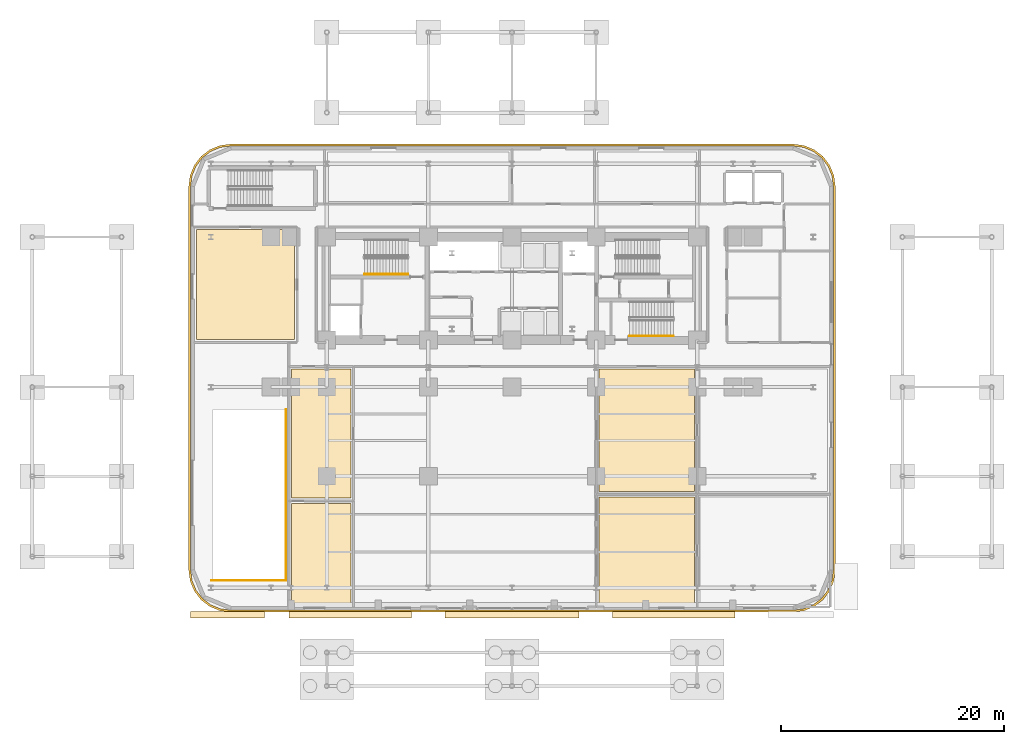
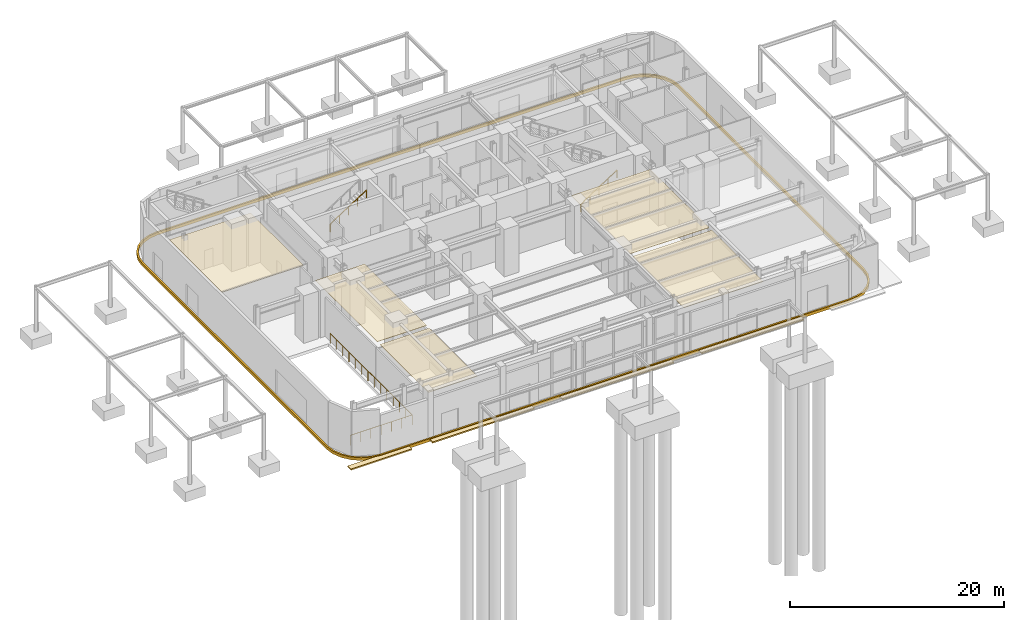
# One storey, part 17 of 21: 10 coverings, 3 railings.
"""IFC4 building model written with IfcOpenShell, lengths in metres."""

from ifc_helpers import new_model, si_unit, direction, frame, origin, origin_2d, place, context, subcontext, project, spatial, polyline, rectangle, outline, extrude, material, layer, layer_set, type_object, element, save


model = new_model("IFC4")

# Units and contexts
model_context = context("Model", 3, precision=1e-05, world=origin(), true_north=direction((0.0, 1.0)))
body_context = subcontext(model_context, "Body", "Model", "MODEL_VIEW")
ifc_project = project(units=[si_unit("LENGTHUNIT", "METRE"), si_unit("AREAUNIT", "SQUARE_METRE"), si_unit("VOLUMEUNIT", "CUBIC_METRE"), si_unit("PLANEANGLEUNIT", "RADIAN"), si_unit("MASSUNIT", "GRAM", prefix="KILO")], contexts=[model_context])

# Site, building, storey
site_placement = place(None, origin())
site = spatial("IfcSite", under=ifc_project, at=site_placement, CompositionType="ELEMENT")
building_placement = place(site_placement, origin())
building = spatial("IfcBuilding", under=site, at=building_placement, Name="Zarnavel Station Tower", CompositionType="ELEMENT")
storey_placement = place(building_placement, origin())
storey = spatial("IfcBuildingStorey", under=building, at=storey_placement, Name="L01", CompositionType="ELEMENT", Elevation=0.0)

# Coverings
ifc_material_1 = material(Name="Perforated Gypsum and Mineral-Wool Acoustic Ceiling", Category="concrete")
ifc_layer_1 = layer(ifc_material_1, 0.0400390625)
ifc_layer_set_1 = layer_set([ifc_layer_1], Name="COV_CEIL_ACOUSTIC")
covering_type_1 = type_object("IfcCoveringType", Name="COV_CEIL_ACOUSTIC", PredefinedType="CEILING", material=ifc_layer_set_1)
covering_1_placement = place(storey_placement, frame((0.0, 0.0, 4.780029296875)))
element("IfcCovering", 1, at=covering_1_placement, inside=storey, type_object=covering_type_1, Name="L01 PNW Acoustic Ceiling", PredefinedType="CEILING", context=body_context, shape_type="SweptSolid", body=[
    extrude(outline(polyline([(0.530029296875, 27.85009765625), (9.300048828125, 27.85009765625), (9.300048828125, 37.699951171875), (0.530029296875, 37.699951171875), (0.530029296875, 27.85009765625)])), origin(), (0.0, 0.0, 1.0), 0.0400390625),
])
covering_2_placement = place(storey_placement, frame((0.0, 0.0, 4.780029296875)))
element("IfcCovering", 2, at=covering_2_placement, inside=storey, type_object=covering_type_1, Name="L01 TKTH Acoustic Ceiling", PredefinedType="CEILING", context=body_context, shape_type="SweptSolid", body=[
    extrude(outline(polyline([(36.60009765625, 4.1298828125), (45.14990234375, 4.1298828125), (45.14990234375, 13.75), (36.60009765625, 13.75), (36.60009765625, 4.1298828125)])), origin(), (0.0, 0.0, 1.0), 0.0400390625),
])
covering_3_placement = place(storey_placement, frame((0.0, 0.0, 4.780029296875)))
element("IfcCovering", 3, at=covering_3_placement, inside=storey, type_object=covering_type_1, Name="L01 HLOB Acoustic Ceiling", PredefinedType="CEILING", context=body_context, shape_type="SweptSolid", body=[
    extrude(outline(polyline([(36.60009765625, 14.25), (45.14990234375, 14.25), (45.14990234375, 25.199951171875), (36.60009765625, 25.199951171875), (36.60009765625, 14.25)])), origin(), (0.0, 0.0, 1.0), 0.0400390625),
])
covering_4_placement = place(storey_placement, frame((0.0, 0.0, 4.780029296875)))
element("IfcCovering", 4, at=covering_4_placement, inside=storey, type_object=covering_type_1, Name="L01 SHP1 Acoustic Ceiling", PredefinedType="CEILING", context=body_context, shape_type="SweptSolid", body=[
    extrude(outline(polyline([(9.050048828125, 4.1298828125), (14.35009765625, 4.1298828125), (14.35009765625, 13.14990234375), (9.050048828125, 13.14990234375), (9.050048828125, 4.1298828125)])), origin(), (0.0, 0.0, 1.0), 0.0400390625),
])
covering_5_placement = place(storey_placement, frame((0.0, 0.0, 4.780029296875)))
element("IfcCovering", 5, at=covering_5_placement, inside=storey, type_object=covering_type_1, Name="L01 SHP2 Acoustic Ceiling", PredefinedType="CEILING", context=body_context, shape_type="SweptSolid", body=[
    extrude(outline(polyline([(9.050048828125, 13.64990234375), (14.35009765625, 13.64990234375), (14.35009765625, 25.199951171875), (9.050048828125, 25.199951171875), (9.050048828125, 13.64990234375)])), origin(), (0.0, 0.0, 1.0), 0.0400390625),
])
ifc_material_2 = material(Name="Precast concrete C45/55 (Plaza Granite Paving)", Category="masonry")
ifc_layer_2 = layer(ifc_material_2, 0.14990234375)
ifc_layer_set_2 = layer_set([ifc_layer_2], Name="COV_PAV_150")
covering_type_2 = type_object("IfcCoveringType", Name="COV_PAV_150", PredefinedType="FLOORING", material=ifc_layer_set_2)
covering_6_placement = place(storey_placement, frame((0.0, 0.0, -0.14990234375)))
element("IfcCovering", 6, at=covering_6_placement, inside=storey, type_object=covering_type_2, Name="Station Forecourt Paving PV01", PredefinedType="FLOORING", context=body_context, shape_type="SweptSolid", body=[
    extrude(outline(polyline([(0.0, 2.89990234375), (6.60009765625, 2.89990234375), (6.60009765625, 3.5), (0.0, 3.5), (0.0, 2.89990234375)])), origin(), (0.0, 0.0, 1.0), 0.14990234375),
])
covering_7_placement = place(storey_placement, frame((0.0, 0.0, -0.14990234375)))
element("IfcCovering", 7, at=covering_7_placement, inside=storey, type_object=covering_type_2, Name="Station Forecourt Paving PV02", PredefinedType="FLOORING", context=body_context, shape_type="SweptSolid", body=[
    extrude(outline(polyline([(8.800048828125, 2.89990234375), (19.800048828125, 2.89990234375), (19.800048828125, 3.5), (8.800048828125, 3.5), (8.800048828125, 2.89990234375)])), origin(), (0.0, 0.0, 1.0), 0.14990234375),
])
covering_8_placement = place(storey_placement, frame((0.0, 0.0, -0.14990234375)))
element("IfcCovering", 8, at=covering_8_placement, inside=storey, type_object=covering_type_2, Name="Station Forecourt Paving PV03", PredefinedType="FLOORING", context=body_context, shape_type="SweptSolid", body=[
    extrude(outline(polyline([(22.800048828125, 2.89990234375), (34.800048828125, 2.89990234375), (34.800048828125, 3.5), (22.800048828125, 3.5), (22.800048828125, 2.89990234375)])), origin(), (0.0, 0.0, 1.0), 0.14990234375),
])
covering_9_placement = place(storey_placement, frame((0.0, 0.0, -0.14990234375)))
element("IfcCovering", 9, at=covering_9_placement, inside=storey, type_object=covering_type_2, Name="Station Forecourt Paving PV04", PredefinedType="FLOORING", context=body_context, shape_type="SweptSolid", body=[
    extrude(outline(polyline([(37.800048828125, 2.89990234375), (48.800048828125, 2.89990234375), (48.800048828125, 3.5), (37.800048828125, 3.5), (37.800048828125, 2.89990234375)])), origin(), (0.0, 0.0, 1.0), 0.14990234375),
])
ifc_material_3 = material(Name="Precast concrete C45/55 (Pale Travertine Slab Band)", Category="masonry")
covering_type_3 = type_object("IfcCoveringType", Name="COV_TRAVERTINE_BAND", PredefinedType="CLADDING", material=ifc_material_3)
covering_10_placement = place(storey_placement, frame((0.0, 0.0, -0.260009765625)))
element("IfcCovering", 10, at=covering_10_placement, inside=storey, type_object=covering_type_3, Name="L01 Pale Travertine Slab-Edge Band", PredefinedType="CLADDING", context=body_context, shape_type="SweptSolid", body=[
    extrude(outline(polyline([(54.0, 3.419921875), (54.978271484375, 3.548828125), (55.889892578125, 3.926513671875), (56.6728515625, 4.527099609375), (57.273681640625, 5.31005859375), (57.651123046875, 6.2216796875), (57.780029296875, 7.199951171875), (57.780029296875, 41.60009765625), (57.651123046875, 42.578369140625), (57.273681640625, 43.489990234375), (56.6728515625, 44.27294921875), (55.889892578125, 44.87353515625), (54.978271484375, 45.251220703125), (54.0, 45.3798828125), (3.60009765625, 45.3798828125), (2.62158203125, 45.251220703125), (1.7099609375, 44.87353515625), (0.927001953125, 44.27294921875), (0.326416015625, 43.489990234375), (-0.05126953125, 42.578369140625), (-0.179931640625, 41.60009765625), (-0.179931640625, 7.199951171875), (-0.05126953125, 6.2216796875), (0.326416015625, 5.31005859375), (0.927001953125, 4.527099609375), (1.7099609375, 3.926513671875), (2.62158203125, 3.548828125), (3.60009765625, 3.419921875), (54.0, 3.419921875)]), holes=[polyline([(54.0, 3.60009765625), (54.931640625, 3.72265625), (55.800048828125, 4.082275390625), (56.545654296875, 4.654296875), (57.11767578125, 5.39990234375), (57.477294921875, 6.268310546875), (57.60009765625, 7.199951171875), (57.60009765625, 41.60009765625), (57.477294921875, 42.53173828125), (57.11767578125, 43.39990234375), (56.545654296875, 44.1455078125), (55.800048828125, 44.7177734375), (54.931640625, 45.077392578125), (54.0, 45.199951171875), (3.60009765625, 45.199951171875), (2.668212890625, 45.077392578125), (1.800048828125, 44.7177734375), (1.054443359375, 44.1455078125), (0.482421875, 43.39990234375), (0.122802734375, 42.53173828125), (0.0, 41.60009765625), (0.0, 7.199951171875), (0.122802734375, 6.268310546875), (0.482421875, 5.39990234375), (1.054443359375, 4.654296875), (1.800048828125, 4.082275390625), (2.668212890625, 3.72265625), (3.60009765625, 3.60009765625), (54.0, 3.60009765625)])]), origin(), (0.0, 0.0, 1.0), 0.320068359375),
])

# Railings
ifc_material_4 = material(Name="Painted Steel S355J2 Balustrade", Category="steel")
railing_type_1 = type_object("IfcRailingType", Name="GR_INT_1150", PredefinedType="GUARDRAIL", material=ifc_material_4)
railing_placement = place(storey_placement, frame((1.8798828125, 6.280029296875, 0.0)))
element("IfcRailing", 11, at=railing_placement, inside=storey, type_object=railing_type_1, Name="L01 Vehicle Ramp Well Side Barrier", PredefinedType="GUARDRAIL", context=body_context, shape_type="SweptSolid", body=[
    extrude(rectangle(XDim=0.048095703125, YDim=0.048095703125, at=origin_2d()), frame((0.001953125, 0.0, 1.1259765625), z_axis=(1.0, 0.0, 0.0), x_axis=(0.0, 1.0, 0.0)), (0.0, 0.0, 1.0), 6.666259765625),
    extrude(rectangle(XDim=0.048095703125, YDim=0.048095703125, at=origin_2d()), frame((6.670166015625, 0.001953125, 1.1259765625), z_axis=(0.0, 1.0, 0.0), x_axis=(-1.0, 0.0, 0.0)), (0.0, 0.0, 1.0), 15.316162109375),
    extrude(rectangle(XDim=0.0419921875, YDim=0.0419921875, at=origin_2d()), origin(), (0.0, 0.0, 1.0), 1.101806640625),
    extrude(rectangle(XDim=0.0419921875, YDim=0.0419921875, at=origin_2d()), frame((1.11181640625, 0.0, 0.0)), (0.0, 0.0, 1.0), 1.101806640625),
    extrude(rectangle(XDim=0.0419921875, YDim=0.0419921875, at=origin_2d()), frame((2.223388671875, 0.0, 0.0)), (0.0, 0.0, 1.0), 1.101806640625),
    extrude(rectangle(XDim=0.0419921875, YDim=0.0419921875, at=origin_2d()), frame((3.3349609375, 0.0, 0.0)), (0.0, 0.0, 1.0), 1.101806640625),
    extrude(rectangle(XDim=0.0419921875, YDim=0.0419921875, at=origin_2d()), frame((4.44677734375, 0.0, 0.0)), (0.0, 0.0, 1.0), 1.101806640625),
    extrude(rectangle(XDim=0.0419921875, YDim=0.0419921875, at=origin_2d()), frame((5.55859375, 0.0, 0.0)), (0.0, 0.0, 1.0), 1.101806640625),
    extrude(rectangle(XDim=0.0419921875, YDim=0.0419921875, at=origin_2d()), frame((6.670166015625, 0.0, 0.0)), (0.0, 0.0, 1.0), 1.101806640625),
    extrude(rectangle(XDim=0.0419921875, YDim=0.0419921875, at=origin_2d()), frame((6.670166015625, 1.178466796875, 0.0)), (0.0, 0.0, 1.0), 1.101806640625),
    extrude(rectangle(XDim=0.0419921875, YDim=0.0419921875, at=origin_2d()), frame((6.670166015625, 2.35693359375, 0.0)), (0.0, 0.0, 1.0), 1.101806640625),
    extrude(rectangle(XDim=0.0419921875, YDim=0.0419921875, at=origin_2d()), frame((6.670166015625, 3.535400390625, 0.0)), (0.0, 0.0, 1.0), 1.101806640625),
    extrude(rectangle(XDim=0.0419921875, YDim=0.0419921875, at=origin_2d()), frame((6.670166015625, 4.7138671875, 0.0)), (0.0, 0.0, 1.0), 1.101806640625),
    extrude(rectangle(XDim=0.0419921875, YDim=0.0419921875, at=origin_2d()), frame((6.670166015625, 5.892333984375, 0.0)), (0.0, 0.0, 1.0), 1.101806640625),
    extrude(rectangle(XDim=0.0419921875, YDim=0.0419921875, at=origin_2d()), frame((6.670166015625, 7.07080078125, 0.0)), (0.0, 0.0, 1.0), 1.101806640625),
    extrude(rectangle(XDim=0.0419921875, YDim=0.0419921875, at=origin_2d()), frame((6.670166015625, 8.249267578125, 0.0)), (0.0, 0.0, 1.0), 1.101806640625),
    extrude(rectangle(XDim=0.0419921875, YDim=0.0419921875, at=origin_2d()), frame((6.670166015625, 9.427734375, 0.0)), (0.0, 0.0, 1.0), 1.101806640625),
    extrude(rectangle(XDim=0.0419921875, YDim=0.0419921875, at=origin_2d()), frame((6.670166015625, 10.606201171875, 0.0)), (0.0, 0.0, 1.0), 1.101806640625),
    extrude(rectangle(XDim=0.0419921875, YDim=0.0419921875, at=origin_2d()), frame((6.670166015625, 11.78466796875, 0.0)), (0.0, 0.0, 1.0), 1.101806640625),
    extrude(rectangle(XDim=0.0419921875, YDim=0.0419921875, at=origin_2d()), frame((6.670166015625, 12.963134765625, 0.0)), (0.0, 0.0, 1.0), 1.101806640625),
    extrude(rectangle(XDim=0.0419921875, YDim=0.0419921875, at=origin_2d()), frame((6.670166015625, 14.1416015625, 0.0)), (0.0, 0.0, 1.0), 1.101806640625),
    extrude(rectangle(XDim=0.0419921875, YDim=0.0419921875, at=origin_2d()), frame((6.670166015625, 15.320068359375, 0.0)), (0.0, 0.0, 1.0), 1.101806640625),
])
ifc_material_5 = material(Name="Brushed Stainless Steel S355J2 Handrail", Category="steel")
railing_type_2 = type_object("IfcRailingType", Name="HR_STAIR_900", PredefinedType="HANDRAIL", material=ifc_material_5)
for number, where, name in (
    (12, (15.56005859375, 33.7099609375, 2.8798828125), "L01 ST1 stair handrail 2"),
    (13, (39.35009765625, 28.169921875, 0.179931640625), "L01 ST3 stair handrail 1"),
):
    element("IfcRailing", number, at=place(storey_placement, frame(where)), inside=storey, type_object=railing_type_2, Name=name, PredefinedType="HANDRAIL", context=body_context, shape_type="SweptSolid", body=[
        extrude(rectangle(XDim=0.048095703125, YDim=0.048095703125, at=origin_2d()), frame((0.001708984375, 0.0, 0.876953125), z_axis=(0.841171666519, 0.0, 0.540768182723), x_axis=(0.0, 1.0, 0.0)), (0.0, 0.0, 1.0), 4.656005859375),
        extrude(rectangle(XDim=0.0419921875, YDim=0.0419921875, at=origin_2d()), origin(), (0.0, 0.0, 1.0), 0.851806640625),
        extrude(rectangle(XDim=0.0419921875, YDim=0.0419921875, at=origin_2d()), frame((0.97998046875, 0.0, 0.6298828125)), (0.0, 0.0, 1.0), 0.851806640625),
        extrude(rectangle(XDim=0.0419921875, YDim=0.0419921875, at=origin_2d()), frame((1.9599609375, 0.0, 1.260009765625)), (0.0, 0.0, 1.0), 0.851806640625),
        extrude(rectangle(XDim=0.0419921875, YDim=0.0419921875, at=origin_2d()), frame((2.93994140625, 0.0, 1.89013671875)), (0.0, 0.0, 1.0), 0.851806640625),
        extrude(rectangle(XDim=0.0419921875, YDim=0.0419921875, at=origin_2d()), frame((3.919921875, 0.0, 2.52001953125)), (0.0, 0.0, 1.0), 0.851806640625),
    ])

save(model, "model.ifc")
